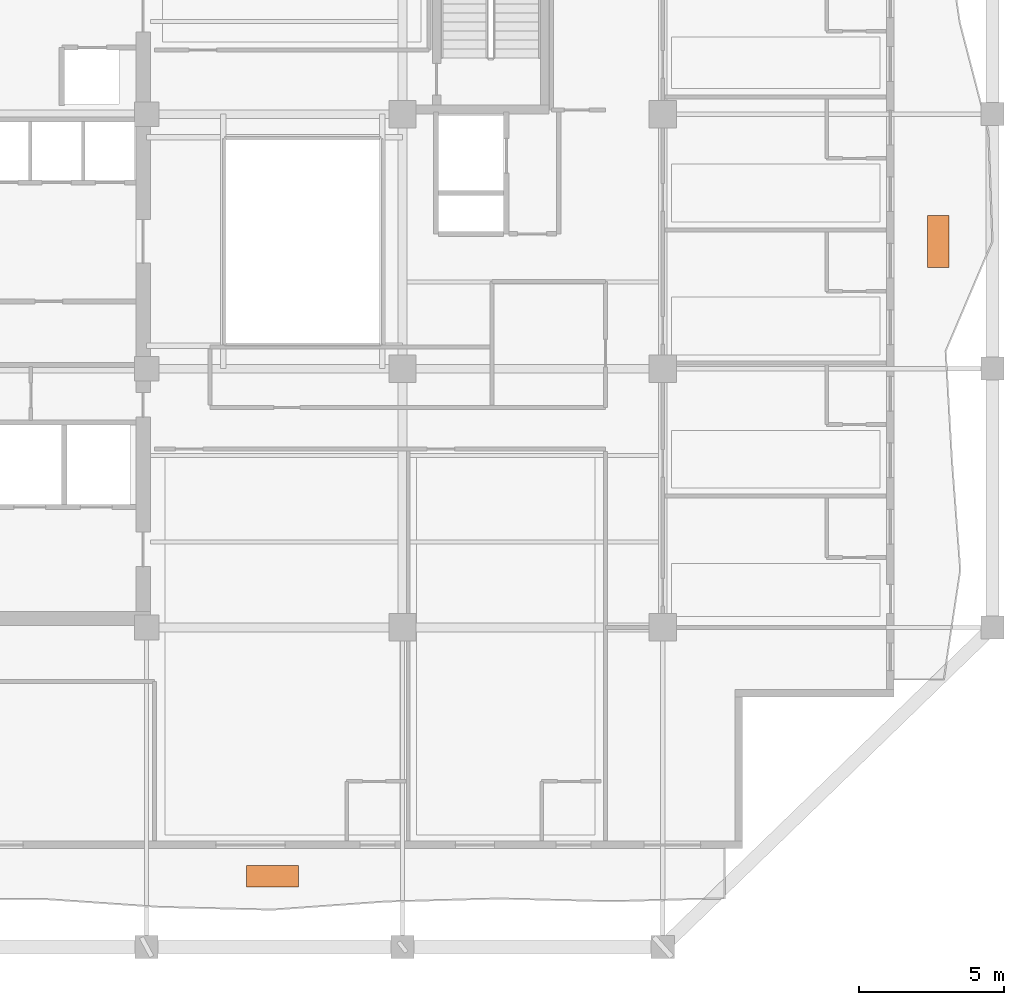
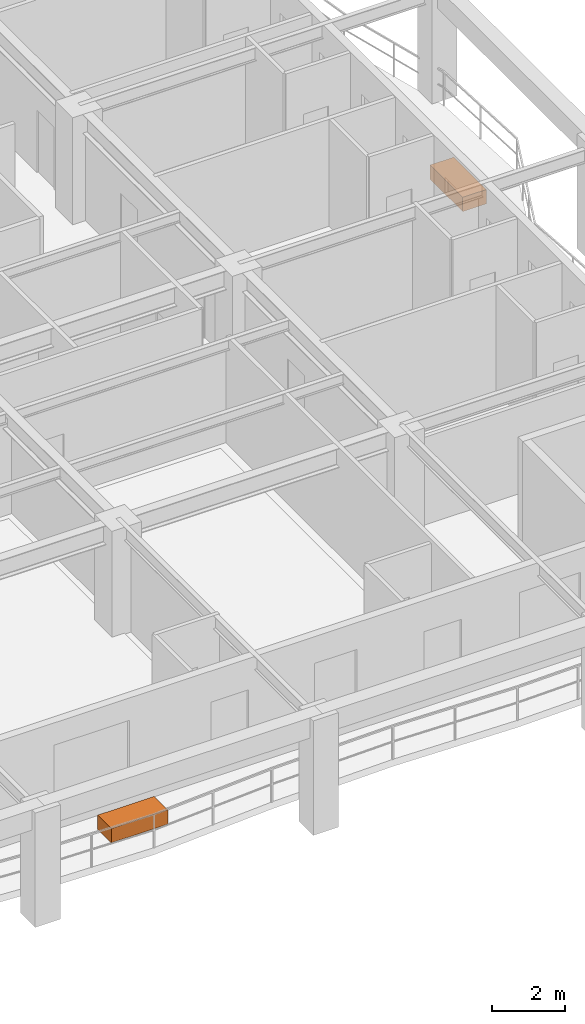
# One storey, part 13 of 13: 2 proxies.
"""IFC4 building model written with IfcOpenShell, lengths in metres."""

from ifc_helpers import new_model, si_unit, direction, frame, origin, origin_2d, place, context, subcontext, project, spatial, rectangle, extrude, material, type_object, element, save


model = new_model("IFC4")

# Units and contexts
model_context = context("Model", 3, precision=1e-05, world=origin(), true_north=direction((0.0, 1.0)))
body_context = subcontext(model_context, "Body", "Model", "MODEL_VIEW")
ifc_project = project(units=[si_unit("LENGTHUNIT", "METRE"), si_unit("AREAUNIT", "SQUARE_METRE"), si_unit("VOLUMEUNIT", "CUBIC_METRE"), si_unit("PLANEANGLEUNIT", "RADIAN"), si_unit("MASSUNIT", "GRAM", prefix="KILO")], contexts=[model_context])

# Site, building, storey
site_placement = place(None, origin())
site = spatial("IfcSite", under=ifc_project, at=site_placement, CompositionType="ELEMENT")
building_placement = place(site_placement, origin())
building = spatial("IfcBuilding", under=site, at=building_placement, Name="Kundavana Baori Tower", CompositionType="ELEMENT")
storey_placement = place(building_placement, frame((0.0, 0.0, 192.550048828125)))
storey = spatial("IfcBuildingStorey", under=building, at=storey_placement, Name="L47", CompositionType="ELEMENT", Elevation=192.550048828125)

# Proxies
ifc_material = material(Name="Red-Buff Dholpur Sandstone Cladding on Concrete C40/50", Category="masonry")
building_element_proxy_type = type_object("IfcBuildingElementProxyType", Name="PRX-PLANTER-1800", PredefinedType="USERDEFINED", material=ifc_material)
for number, where, z_axis, x_axis, name in (
    (1, (29.300048828125, 6.64892578125, 0.0), (0.0, 0.0, 1.0), (1.0, 0.0, 0.0), "L47 Dholpur Stone Structural Tree Planter S"),
    (2, (52.330078125, 28.60009765625, 0.0), (0.0, 0.0, 1.0), (0.0, 1.0, 0.0), "L47 Dholpur Stone Structural Tree Planter E"),
):
    element("IfcBuildingElementProxy", number, at=place(storey_placement, frame(where, z_axis=z_axis, x_axis=x_axis)), inside=storey, type_object=building_element_proxy_type, Name=name, ObjectType="PLANTER", PredefinedType="USERDEFINED", context=body_context, shape_type="SweptSolid", body=[
        extrude(rectangle(XDim=1.800048828125, YDim=0.75, at=origin_2d()), origin(), (0.0, 0.0, 1.0), 0.47998046875),
    ])

save(model, "model.ifc")
